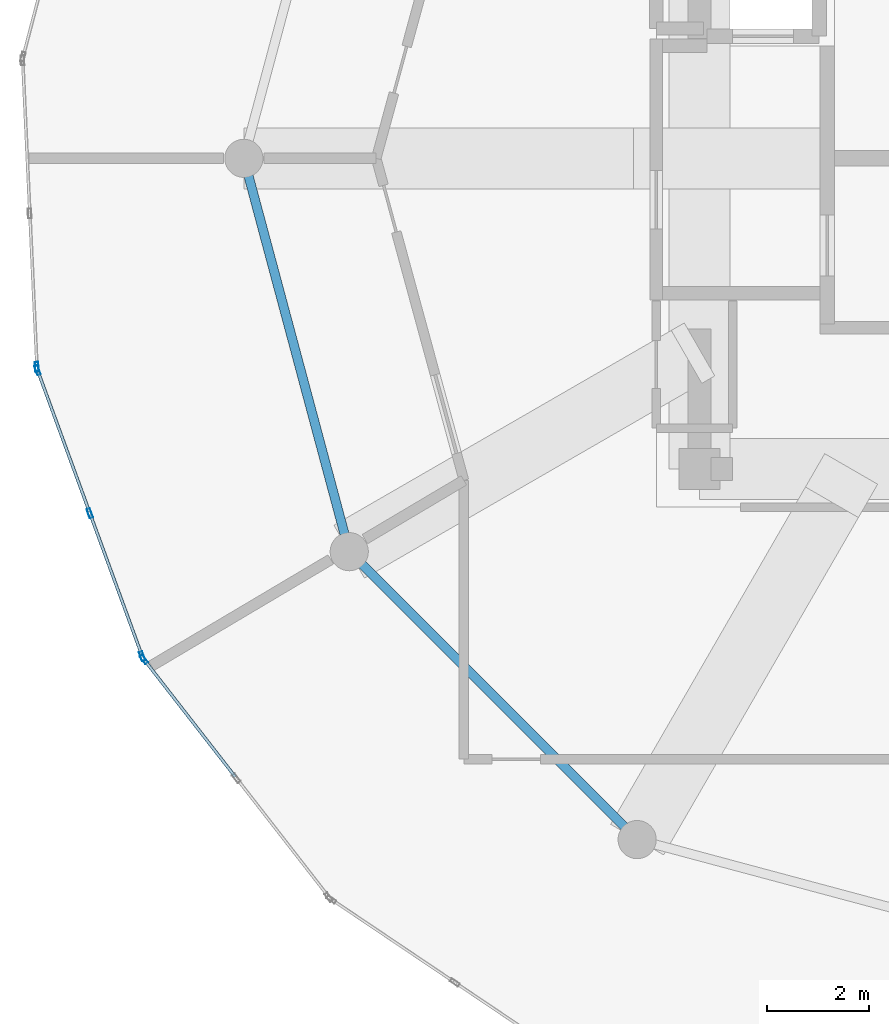
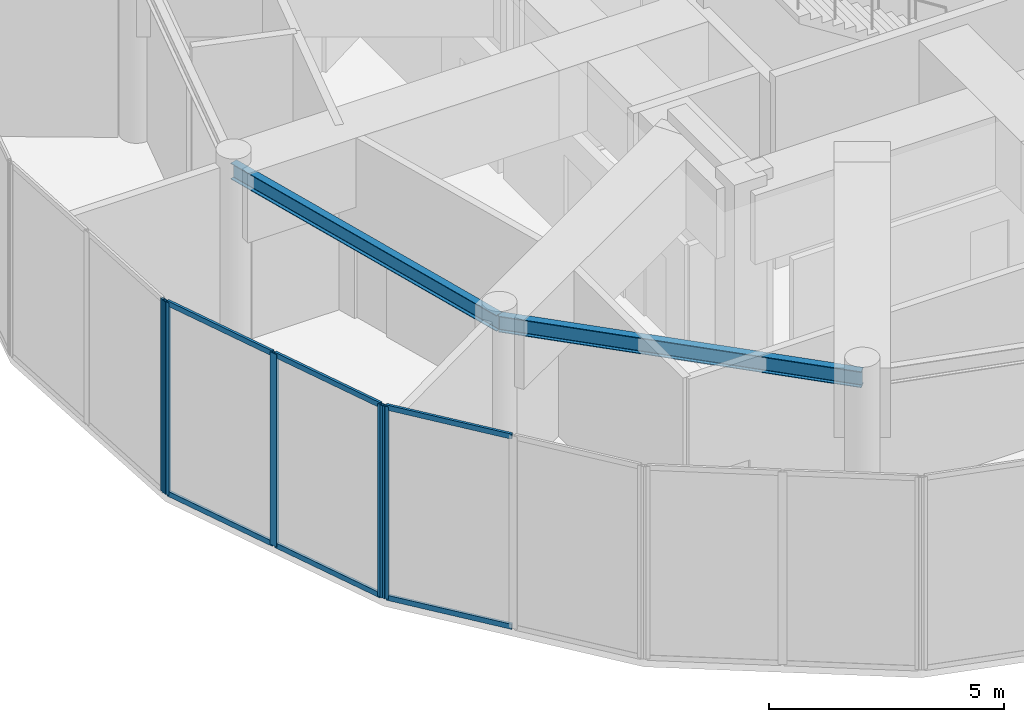
# One storey, part 3 of 20: 11 members, 2 beams, 3 elements without a shape of their own.
"""IFC4 building model written with IfcOpenShell, lengths in metres."""

from ifc_helpers import new_model, si_unit, direction, frame, origin, origin_2d, place, context, subcontext, project, spatial, hollow_rectangle, i_section, extrude, source, transform, mapped, material, layer, layer_set, material_profile, profile_set, type_object, element, aggregate, save


model = new_model("IFC4")

# Units and contexts
model_context = context("Model", 3, precision=1e-05, world=origin(), true_north=direction((0.0, 1.0)))
body_context = subcontext(model_context, "Body", "Model", "MODEL_VIEW")
ifc_project = project(units=[si_unit("LENGTHUNIT", "METRE"), si_unit("AREAUNIT", "SQUARE_METRE"), si_unit("VOLUMEUNIT", "CUBIC_METRE"), si_unit("PLANEANGLEUNIT", "RADIAN"), si_unit("MASSUNIT", "GRAM", prefix="KILO")], contexts=[model_context])

# Site, building, storey
site_placement = place(None, origin())
site = spatial("IfcSite", under=ifc_project, at=site_placement, CompositionType="ELEMENT")
building_placement = place(site_placement, origin())
building = spatial("IfcBuilding", under=site, at=building_placement, Name="Solvirekh Grand Hotel", CompositionType="ELEMENT")
storey_placement = place(building_placement, frame((0.0, 0.0, 297.199951171875)))
storey = spatial("IfcBuildingStorey", under=building, at=storey_placement, Name="L77", CompositionType="ELEMENT", Elevation=297.199951171875)

# Beams
ifc_material_1 = material(Name="Steel S355", Category="steel")
ifc_material_profile_1 = material_profile(ifc_material_1, i_section(OverallWidth=0.180908203125, OverallDepth=0.4169921875, WebThickness=0.010009765625, FlangeThickness=0.01611328125, FilletRadius=0.011962890625, at=origin_2d()), Name="W410X85")
ifc_profile_set_1 = profile_set([ifc_material_profile_1], Name="Steel S355")
beam_type = type_object("IfcBeamType", Name="Spandrel_Ring_W410", PredefinedType="SPANDREL", material=ifc_profile_set_1)
beam_1_placement = place(storey_placement, frame((-15.449951171875, 0.0, 4.470947265625), z_axis=(0.258834757072, -0.965921616143, 0.0), x_axis=(0.965921616143, 0.258834757072, 0.0)))
element("IfcBeam", 1, at=beam_1_placement, inside=storey, type_object=beam_type, Name="L77 perimeter spandrel beam 7", PredefinedType="SPANDREL", context=body_context, shape_type="SweptSolid", body=[
    extrude(i_section(OverallWidth=0.180908203125, OverallDepth=0.4169921875, WebThickness=0.010009765625, FlangeThickness=0.01611328125, FilletRadius=0.011962890625, at=origin_2d()), origin(), (0.0, 0.0, 1.0), 7.99755859375),
])
beam_2_placement = place(storey_placement, frame((-13.3798828125, -7.72509765625, 4.470947265625), z_axis=(0.707106781187, -0.707106781187, 0.0), x_axis=(0.707106781187, 0.707106781187, 0.0)))
element("IfcBeam", 2, at=beam_2_placement, inside=storey, type_object=beam_type, Name="L77 perimeter spandrel beam 8", PredefinedType="SPANDREL", context=body_context, shape_type="SweptSolid", body=[
    extrude(i_section(OverallWidth=0.180908203125, OverallDepth=0.4169921875, WebThickness=0.010009765625, FlangeThickness=0.01611328125, FilletRadius=0.011962890625, at=origin_2d()), origin(), (0.0, 0.0, 1.0), 7.9970703125),
])

# Curtain wall, members
ifc_material_2 = material(Name="Anodized Bronze Aluminium 6063-T6", Category="aluminium")
ifc_layer = layer(ifc_material_2, 0.18994140625)
ifc_layer_set = layer_set([ifc_layer], Name="Anodized Bronze Aluminium 6063-T6")
curtain_wall_type = type_object("IfcCurtainWallType", Name="CW_Sys5_SkyLobbyPanoramaCW", PredefinedType="NOTDEFINED", material=ifc_layer_set)
curtain_wall_1_placement = place(storey_placement, origin())
curtain_wall_1 = element("IfcCurtainWall", 3, at=curtain_wall_1_placement, inside=storey, type_object=curtain_wall_type, Name="L77 unitised bronze-glass curtain wall CW-L77-C17", PredefinedType="NOTDEFINED")
ifc_material_profile_2 = material_profile(ifc_material_2, hollow_rectangle(XDim=0.06005859375, YDim=0.135009765625, WallThickness=0.00390625, at=origin_2d()), Name="ALU RHS 135X60X4")
ifc_profile_set_2 = profile_set([ifc_material_profile_2], Name="Anodized Bronze Aluminium 6063-T6")
member_type_1 = type_object("IfcMemberType", Name="CWTransom_Sys5", PredefinedType="USERDEFINED", material=ifc_profile_set_2)
shared_shape_1 = source(origin(), body_context, "Body", "SweptSolid", [
    extrude(hollow_rectangle(XDim=0.06005859375, YDim=0.135009765625, WallThickness=0.00390625, at=origin_2d()), origin(), (0.0, 0.0, 1.0), 2.92138671875),
])
member_1_placement = place(storey_placement, frame((-19.489990234375, -4.19482421875, 0.030029296875), z_axis=(0.343648045993, -0.939098514792, 0.0), x_axis=(0.939098514792, 0.343648045993, 0.0)))
member_1 = element("IfcMember", 4, at=member_1_placement, type_object=member_type_1, Name="U05 transom 1.1", ObjectType="TRANSOM", PredefinedType="USERDEFINED", context=body_context, shape_type="MappedRepresentation", body=[
    mapped(shared_shape_1, transform((0.0, 0.0, 0.0), x_axis=(1.0, 0.0, 0.0), y_axis=(0.0, 1.0, 0.0), z_axis=(0.0, 0.0, 1.0), scale=1.0)),
])
member_2_placement = place(storey_placement, frame((-19.489990234375, -4.19482421875, 4.969970703125), z_axis=(0.343648045993, -0.939098514792, 0.0), x_axis=(0.939098514792, 0.343648045993, 0.0)))
member_2 = element("IfcMember", 5, at=member_2_placement, type_object=member_type_1, Name="U05 transom 1.2", ObjectType="TRANSOM", PredefinedType="USERDEFINED", context=body_context, shape_type="MappedRepresentation", body=[
    mapped(shared_shape_1, transform((0.0, 0.0, 0.0), x_axis=(1.0, 0.0, 0.0), y_axis=(0.0, 1.0, 0.0), z_axis=(0.0, 0.0, 1.0), scale=1.0)),
])
member_3_placement = place(storey_placement, frame((-18.4619140625, -7.00390625, 0.030029296875), z_axis=(0.343648045993, -0.939098514792, 0.0), x_axis=(0.939098514792, 0.343648045993, 0.0)))
member_3 = element("IfcMember", 6, at=member_3_placement, type_object=member_type_1, Name="U05 transom 2.1", ObjectType="TRANSOM", PredefinedType="USERDEFINED", context=body_context, shape_type="MappedRepresentation", body=[
    mapped(shared_shape_1, transform((0.0, 0.0, 0.0), x_axis=(1.0, 0.0, 0.0), y_axis=(0.0, 1.0, 0.0), z_axis=(0.0, 0.0, 1.0), scale=1.0)),
])
member_4_placement = place(storey_placement, frame((-18.4619140625, -7.00390625, 4.969970703125), z_axis=(0.343648045993, -0.939098514792, 0.0), x_axis=(0.939098514792, 0.343648045993, 0.0)))
member_4 = element("IfcMember", 7, at=member_4_placement, type_object=member_type_1, Name="U05 transom 2.2", ObjectType="TRANSOM", PredefinedType="USERDEFINED", context=body_context, shape_type="MappedRepresentation", body=[
    mapped(shared_shape_1, transform((0.0, 0.0, 0.0), x_axis=(1.0, 0.0, 0.0), y_axis=(0.0, 1.0, 0.0), z_axis=(0.0, 0.0, 1.0), scale=1.0)),
])

curtain_wall_2_placement = place(storey_placement, origin())
curtain_wall_2 = element("IfcCurtainWall", 8, at=curtain_wall_2_placement, inside=storey, type_object=curtain_wall_type, Name="L77 unitised bronze-glass curtain wall CW-L77-C18", PredefinedType="NOTDEFINED")
shared_shape_2 = source(origin(), body_context, "Body", "SweptSolid", [
    extrude(hollow_rectangle(XDim=0.06005859375, YDim=0.135009765625, WallThickness=0.00390625, at=origin_2d()), origin(), (0.0, 0.0, 1.0), 2.887451171875),
])
member_5_placement = place(storey_placement, frame((-17.39111328125, -9.8681640625, 0.030029296875), z_axis=(0.613923052821, -0.78936587538, 0.0), x_axis=(0.78936587538, 0.613923052821, 0.0)))
member_5 = element("IfcMember", 9, at=member_5_placement, type_object=member_type_1, Name="U05 transom 1.1", ObjectType="TRANSOM", PredefinedType="USERDEFINED", context=body_context, shape_type="MappedRepresentation", body=[
    mapped(shared_shape_2, transform((0.0, 0.0, 0.0), x_axis=(1.0, 0.0, 0.0), y_axis=(0.0, 1.0, 0.0), z_axis=(0.0, 0.0, 1.0), scale=1.0)),
])
member_6_placement = place(storey_placement, frame((-17.39111328125, -9.8681640625, 4.969970703125), z_axis=(0.613923052821, -0.78936587538, 0.0), x_axis=(0.78936587538, 0.613923052821, 0.0)))
member_6 = element("IfcMember", 10, at=member_6_placement, type_object=member_type_1, Name="U05 transom 1.2", ObjectType="TRANSOM", PredefinedType="USERDEFINED", context=body_context, shape_type="MappedRepresentation", body=[
    mapped(shared_shape_2, transform((0.0, 0.0, 0.0), x_axis=(1.0, 0.0, 0.0), y_axis=(0.0, 1.0, 0.0), z_axis=(0.0, 0.0, 1.0), scale=1.0)),
])

# Curtain wall, member
curtain_wall_3_placement = place(storey_placement, origin())
curtain_wall_3 = element("IfcCurtainWall", 11, at=curtain_wall_3_placement, inside=storey, type_object=curtain_wall_type, Name="L77 unitised bronze-glass curtain wall CW-L77-C16", PredefinedType="NOTDEFINED")
ifc_material_profile_3 = material_profile(ifc_material_2, hollow_rectangle(XDim=0.070068359375, YDim=0.18994140625, WallThickness=0.0048828125, at=origin_2d()), Name="ALU RHS 190X70X5")
ifc_profile_set_3 = profile_set([ifc_material_profile_3], Name="Anodized Bronze Aluminium 6063-T6")
member_type_2 = type_object("IfcMemberType", Name="CWMullion_Sys5", PredefinedType="MULLION", material=ifc_profile_set_3)
shared_shape_3 = source(origin(), body_context, "Body", "SweptSolid", [
    extrude(hollow_rectangle(XDim=0.070068359375, YDim=0.18994140625, WallThickness=0.0048828125, at=origin_2d()), origin(), (0.0, 0.0, 1.0), 5.0),
])
member_7_placement = place(storey_placement, frame((-19.515625, -4.093994140625, 0.0), z_axis=(0.0, 0.0, 1.0), x_axis=(0.998921679103, 0.046427136666, 0.0)))
member_7 = element("IfcMember", 12, at=member_7_placement, type_object=member_type_2, Name="U05 mullion 3", PredefinedType="MULLION", context=body_context, shape_type="MappedRepresentation", body=[
    mapped(shared_shape_3, transform((0.0, 0.0, 0.0), x_axis=(1.0, 0.0, 0.0), y_axis=(0.0, 1.0, 0.0), z_axis=(0.0, 0.0, 1.0), scale=1.0)),
])
aggregate(curtain_wall_3, [member_7])

# Member
member_8_placement = place(storey_placement, frame((-19.501953125, -4.161865234375, 0.0), z_axis=(0.0, 0.0, 1.0), x_axis=(0.939096844563, 0.343652610251, 0.0)))
member_8 = element("IfcMember", 13, at=member_8_placement, type_object=member_type_2, Name="U05 mullion 1", PredefinedType="MULLION", context=body_context, shape_type="MappedRepresentation", body=[
    mapped(shared_shape_3, transform((0.0, 0.0, 0.0), x_axis=(1.0, 0.0, 0.0), y_axis=(0.0, 1.0, 0.0), z_axis=(0.0, 0.0, 1.0), scale=1.0)),
])

member_9_placement = place(storey_placement, frame((-18.47412109375, -6.970947265625, 0.0), z_axis=(0.0, 0.0, 1.0), x_axis=(0.939096844563, 0.343652610251, 0.0)))
member_9 = element("IfcMember", 14, at=member_9_placement, type_object=member_type_2, Name="U05 mullion 2", PredefinedType="MULLION", context=body_context, shape_type="MappedRepresentation", body=[
    mapped(shared_shape_3, transform((0.0, 0.0, 0.0), x_axis=(1.0, 0.0, 0.0), y_axis=(0.0, 1.0, 0.0), z_axis=(0.0, 0.0, 1.0), scale=1.0)),
])

member_10_placement = place(storey_placement, frame((-17.446044921875, -9.780029296875, 0.0), z_axis=(0.0, 0.0, 1.0), x_axis=(0.939096844563, 0.343652610251, 0.0)))
member_10 = element("IfcMember", 15, at=member_10_placement, type_object=member_type_2, Name="U05 mullion 3", PredefinedType="MULLION", context=body_context, shape_type="MappedRepresentation", body=[
    mapped(shared_shape_3, transform((0.0, 0.0, 0.0), x_axis=(1.0, 0.0, 0.0), y_axis=(0.0, 1.0, 0.0), z_axis=(0.0, 0.0, 1.0), scale=1.0)),
])

aggregate(curtain_wall_1, [member_8, member_9, member_10, member_1, member_2, member_3, member_4])

member_11_placement = place(storey_placement, frame((-17.41259765625, -9.840576171875, 0.0), z_axis=(0.0, 0.0, 1.0), x_axis=(0.789370212192, 0.613917476624, 0.0)))
member_11 = element("IfcMember", 16, at=member_11_placement, type_object=member_type_2, Name="U05 mullion 1", PredefinedType="MULLION", context=body_context, shape_type="MappedRepresentation", body=[
    mapped(shared_shape_3, transform((0.0, 0.0, 0.0), x_axis=(1.0, 0.0, 0.0), y_axis=(0.0, 1.0, 0.0), z_axis=(0.0, 0.0, 1.0), scale=1.0)),
])

aggregate(curtain_wall_2, [member_11, member_5, member_6])

save(model, "model.ifc")
